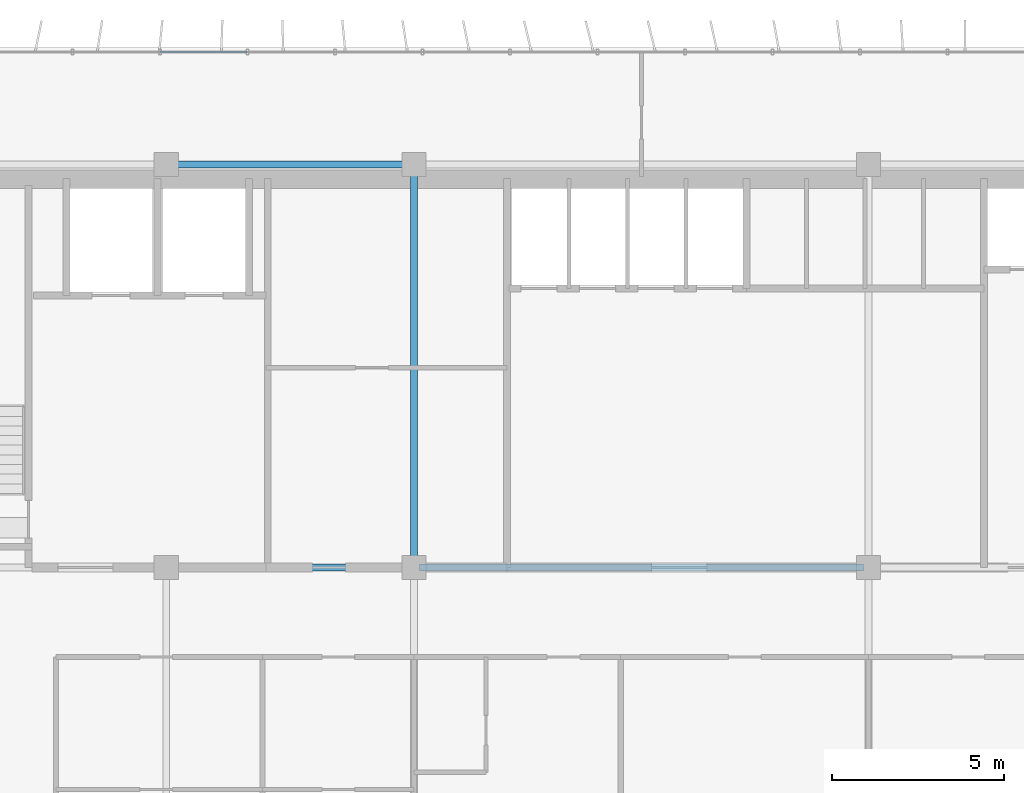
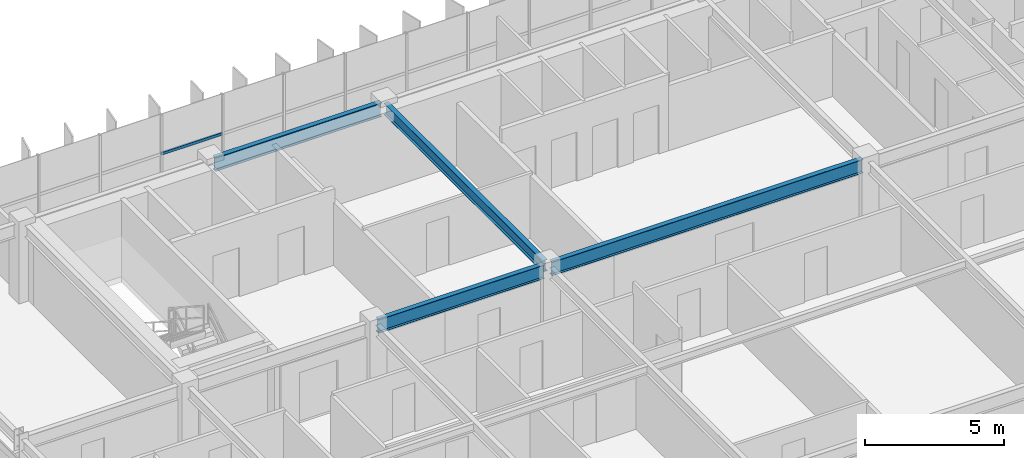
# One storey, part 5 of 21: 4 beams, 1 member, 1 element without a shape of its own.
"""IFC4 building model written with IfcOpenShell, lengths in metres."""

from ifc_helpers import new_model, si_unit, direction, frame, origin, origin_2d, place, context, subcontext, project, spatial, hollow_rectangle, i_section, extrude, source, transform, mapped, material, material_profile, profile_set, type_object, element, aggregate, save


model = new_model("IFC4")

# Units and contexts
model_context = context("Model", 3, precision=1e-05, world=origin(), true_north=direction((0.0, 1.0)))
body_context = subcontext(model_context, "Body", "Model", "MODEL_VIEW")
ifc_project = project(units=[si_unit("LENGTHUNIT", "METRE"), si_unit("AREAUNIT", "SQUARE_METRE"), si_unit("VOLUMEUNIT", "CUBIC_METRE"), si_unit("PLANEANGLEUNIT", "RADIAN"), si_unit("MASSUNIT", "GRAM", prefix="KILO")], contexts=[model_context])

# Site, building, storey
site_placement = place(None, origin())
site = spatial("IfcSite", under=ifc_project, at=site_placement, CompositionType="ELEMENT")
building_placement = place(site_placement, origin())
building = spatial("IfcBuilding", under=site, at=building_placement, Name="Trelvane Seafront Commons", CompositionType="ELEMENT")
storey_placement = place(building_placement, frame((0.0, 0.0, 157.300048828125)))
storey = spatial("IfcBuildingStorey", under=building, at=storey_placement, Name="L41", CompositionType="ELEMENT", Elevation=157.300048828125)

# Beams
ifc_material_1 = material(Name="Steel SM355 (S355)", Category="steel")
ifc_material_profile_1 = material_profile(ifc_material_1, i_section(OverallWidth=0.199951171875, OverallDepth=0.5, WebThickness=0.010009765625, FlangeThickness=0.01611328125, at=origin_2d()), Name="H-500x200x10x16")
ifc_profile_set_1 = profile_set([ifc_material_profile_1], Name="Steel SM355 (S355)")
beam_type_1 = type_object("IfcBeamType", Name="STR-BM-H500", PredefinedType="BEAM", material=ifc_profile_set_1)
shared_shape_1 = source(origin(), body_context, "Body", "SweptSolid", [
    extrude(i_section(OverallWidth=0.199951171875, OverallDepth=0.5, WebThickness=0.010009765625, FlangeThickness=0.01611328125, at=origin_2d()), origin(), (0.0, 0.0, 1.0), 11.39990234375),
])
beam_1_placement = place(storey_placement, frame((30.60009765625, 33.550048828125, 3.099853515625), z_axis=(0.0, 1.0, 0.0), x_axis=(-1.0, 0.0, 0.0)))
element("IfcBeam", 1, at=beam_1_placement, inside=storey, type_object=beam_type_1, Name="L41 Primary Girder G-40", PredefinedType="BEAM", context=body_context, shape_type="MappedRepresentation", body=[
    mapped(shared_shape_1, transform((0.0, 0.0, 0.0), x_axis=(1.0, 0.0, 0.0), y_axis=(0.0, 1.0, 0.0), z_axis=(0.0, 0.0, 1.0), scale=1.0)),
])
ifc_material_profile_2 = material_profile(ifc_material_1, i_section(OverallWidth=0.199951171875, OverallDepth=0.60009765625, WebThickness=0.010986328125, FlangeThickness=0.01708984375, at=origin_2d()), Name="H-600x200x11x17")
ifc_profile_set_2 = profile_set([ifc_material_profile_2], Name="Steel SM355 (S355)")
beam_type_2 = type_object("IfcBeamType", Name="STR-SPD-H600", PredefinedType="SPANDREL", material=ifc_profile_set_2)
shared_shape_2 = source(origin(), body_context, "Body", "SweptSolid", [
    extrude(i_section(OverallWidth=0.199951171875, OverallDepth=0.60009765625, WebThickness=0.010986328125, FlangeThickness=0.01708984375, at=origin_2d()), origin(), (0.0, 0.0, 1.0), 12.89990234375),
])
beam_2_placement = place(storey_placement, frame((30.75, 33.39990234375, 3.050048828125), z_axis=(1.0, 0.0, 0.0), x_axis=(0.0, 1.0, 0.0)))
element("IfcBeam", 2, at=beam_2_placement, inside=storey, type_object=beam_type_2, Name="L41 Primary Girder G-18", PredefinedType="SPANDREL", context=body_context, shape_type="MappedRepresentation", body=[
    mapped(shared_shape_2, transform((0.0, 0.0, 0.0), x_axis=(1.0, 0.0, 0.0), y_axis=(0.0, 1.0, 0.0), z_axis=(0.0, 0.0, 1.0), scale=1.0)),
])
shared_shape_3 = source(origin(), body_context, "Body", "SweptSolid", [
    extrude(i_section(OverallWidth=0.199951171875, OverallDepth=0.60009765625, WebThickness=0.010986328125, FlangeThickness=0.01708984375, at=origin_2d()), origin(), (0.0, 0.0, 1.0), 6.89990234375),
])
for number, where, z_axis, x_axis, name in (
    (3, (23.550048828125, 33.39990234375, 3.050048828125), (1.0, 0.0, 0.0), (0.0, 1.0, 0.0), "L41 Primary Girder G-17"),
    (4, (23.550048828125, 45.10009765625, 3.050048828125), (1.0, 0.0, 0.0), (0.0, 1.0, 0.0), "L41 Primary Girder G-24"),
):
    element("IfcBeam", number, at=place(storey_placement, frame(where, z_axis=z_axis, x_axis=x_axis)), inside=storey, type_object=beam_type_2, Name=name, PredefinedType="SPANDREL", context=body_context, shape_type="MappedRepresentation", body=[
        mapped(shared_shape_3, transform((0.0, 0.0, 0.0), x_axis=(1.0, 0.0, 0.0), y_axis=(0.0, 1.0, 0.0), z_axis=(0.0, 0.0, 1.0), scale=1.0)),
    ])

# Curtain wall, member
ifc_material_2 = material(Name="Anodised pale-silver aluminium", Category="aluminium")
curtain_wall_type = type_object("IfcCurtainWallType", Name="ARCH-CW5-UPTOWER", PredefinedType="NOTDEFINED", material=ifc_material_2)
curtain_wall_placement = place(storey_placement, origin())
curtain_wall = element("IfcCurtainWall", 5, at=curtain_wall_placement, inside=storey, type_object=curtain_wall_type, Name="CW-L41-0068", PredefinedType="NOTDEFINED")
ifc_material_profile_3 = material_profile(ifc_material_2, hollow_rectangle(XDim=0.070068359375, YDim=0.1201171875, WallThickness=0.00390625, at=origin_2d()), Name="TRAN-70x120x4")
ifc_profile_set_3 = profile_set([ifc_material_profile_3], Name="Anodised pale-silver aluminium")
member_type = type_object("IfcMemberType", Name="ARCH-CW-TRAN-120", PredefinedType="USERDEFINED", material=ifc_profile_set_3)
shared_shape_4 = source(origin(), body_context, "Body", "SweptSolid", [
    extrude(hollow_rectangle(XDim=0.070068359375, YDim=0.1201171875, WallThickness=0.00390625, at=origin_2d()), origin(), (0.0, 0.0, 1.0), 2.51708984375),
])
member_placement = place(storey_placement, frame((23.235595703125, 48.3701171875, 1.60791015625), z_axis=(1.0, 0.0, 0.0), x_axis=(0.0, 1.0, 0.0)))
member = element("IfcMember", 6, at=member_placement, type_object=member_type, Name="CW-L41-0068-T03", ObjectType="TRANSOM", PredefinedType="USERDEFINED", context=body_context, shape_type="MappedRepresentation", body=[
    mapped(shared_shape_4, transform((0.0, 0.0, 0.0), x_axis=(1.0, 0.0, 0.0), y_axis=(0.0, 1.0, 0.0), z_axis=(0.0, 0.0, 1.0), scale=1.0)),
])
aggregate(curtain_wall, [member])

save(model, "model.ifc")
